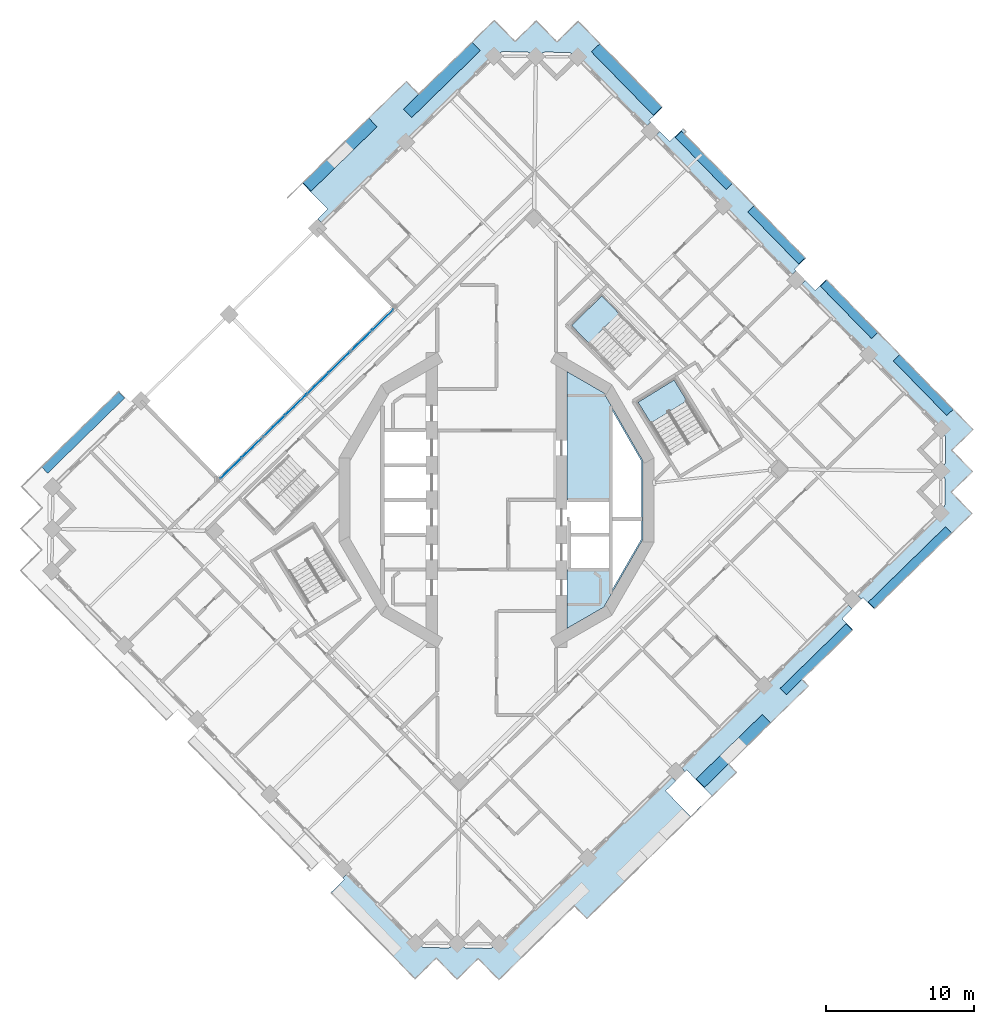
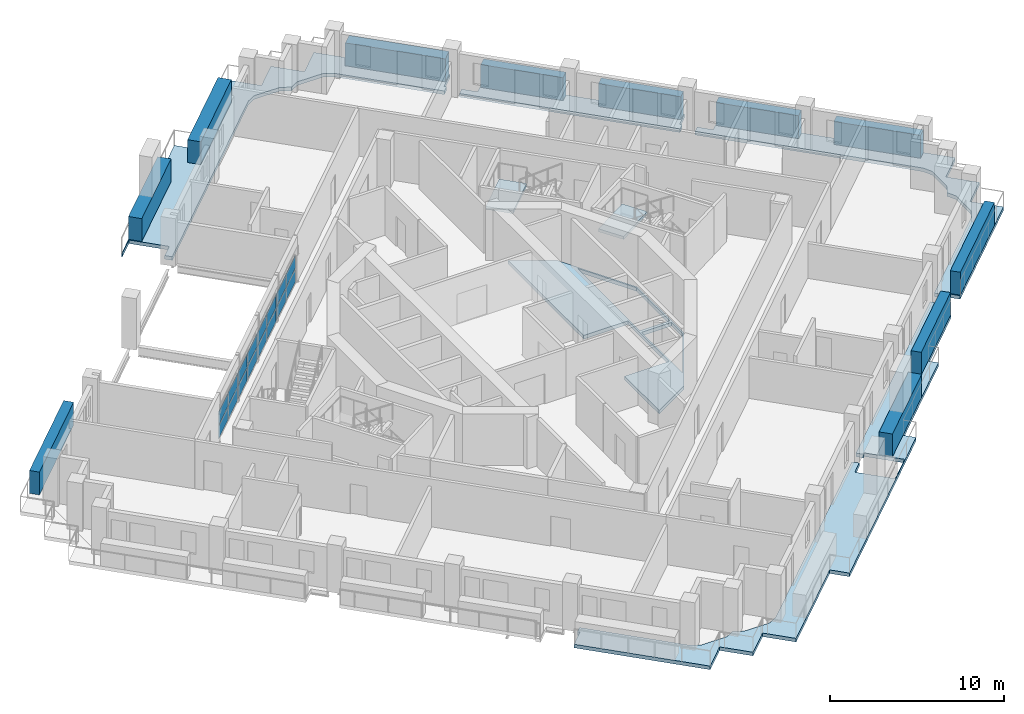
# One storey, part 6 of 21: 27 plates, 7 slabs, 3 elements without a shape of their own.
"""IFC4 building model written with IfcOpenShell, lengths in metres."""

from ifc_helpers import new_model, si_unit, direction, frame, origin, origin_2d, place, context, subcontext, project, spatial, polyline, rectangle, outline, extrude, material, layer, layer_set, type_object, element, aggregate, save


model = new_model("IFC4")

# Units and contexts
model_context = context("Model", 3, precision=1e-05, world=origin(), true_north=direction((0.0, 1.0)))
body_context = subcontext(model_context, "Body", "Model", "MODEL_VIEW")
ifc_project = project(units=[si_unit("LENGTHUNIT", "METRE"), si_unit("AREAUNIT", "SQUARE_METRE"), si_unit("VOLUMEUNIT", "CUBIC_METRE"), si_unit("PLANEANGLEUNIT", "RADIAN"), si_unit("MASSUNIT", "GRAM", prefix="KILO")], contexts=[model_context])

# Site, building, storey
site_placement = place(None, origin())
site = spatial("IfcSite", under=ifc_project, at=site_placement, CompositionType="ELEMENT")
building_placement = place(site_placement, origin())
building = spatial("IfcBuilding", under=site, at=building_placement, Name="Cantera Rosa Tower", CompositionType="ELEMENT")
storey_placement = place(building_placement, frame((0.0, 0.0, 234.199951171875)))
storey = spatial("IfcBuildingStorey", under=building, at=storey_placement, Name="L51", CompositionType="ELEMENT", Elevation=234.199951171875)

# Slab
ifc_material_1 = material(Name="Concrete C35/45", Category="concrete")
ifc_layer_1 = layer(ifc_material_1, 0.25)
ifc_layer_set_1 = layer_set([ifc_layer_1], Name="COMPOSITE FLOOR SLAB 250 C35/45")
slab_type_1 = type_object("IfcSlabType", Name="COMPOSITE FLOOR SLAB 250 C35/45", PredefinedType="FLOOR", material=ifc_layer_set_1)
slab_1_placement = place(storey_placement, frame((0.0, 0.0, -0.25)))
element("IfcSlab", 1, at=slab_1_placement, inside=storey, type_object=slab_type_1, Name="SLAB L51 floor 3", PredefinedType="FLOOR", context=body_context, shape_type="SweptSolid", body=[
    extrude(outline(polyline([(7.699951171875, 0.0), (4.75, 0.0), (4.75, 8.660400390625), (7.22900390625, 7.22900390625), (9.875244140625, 2.64599609375), (9.875244140625, -2.64599609375), (7.22900390625, -7.22900390625), (4.75, -8.660400390625), (4.75, -4.699951171875), (7.699951171875, -4.699951171875), (7.699951171875, -2.35009765625), (7.699951171875, 0.0)]), holes=[polyline([(9.775146484375, -1.3828125), (7.800048828125, -1.3828125), (7.800048828125, -2.25), (7.800048828125, -2.449951171875), (7.800048828125, -6.040283203125), (9.775146484375, -2.619384765625), (9.775146484375, -1.3828125)]), polyline([(9.775146484375, 2.619384765625), (7.800048828125, 6.040283203125), (7.800048828125, 2.449951171875), (7.800048828125, 2.25), (7.800048828125, -1.1826171875), (9.775146484375, -1.1826171875), (9.775146484375, 2.619384765625)])]), origin(), (0.0, 0.0, 1.0), 0.25),
])

# Curtain wall, plates
ifc_material_2 = material(Name="Aluminium frame with clear glass", Category="aluminium")
curtain_wall_type = type_object("IfcCurtainWallType", Name="CW1 TERRACE POCKET GLAZING", PredefinedType="NOTDEFINED", material=ifc_material_2)
curtain_wall_placement = place(storey_placement, origin())
curtain_wall = element("IfcCurtainWall", 2, at=curtain_wall_placement, inside=storey, type_object=curtain_wall_type, Name="CW1 CW1", PredefinedType="NOTDEFINED")
ifc_material_3 = material(Name="Aluminium frame with clear glass", Category="aluminium")
ifc_layer_2 = layer(ifc_material_3, 0.028076171875)
ifc_layer_set_2 = layer_set([ifc_layer_2], Name="CW-PANEL POCKET")
plate_type_1 = type_object("IfcPlateType", Name="CW-PANEL POCKET", PredefinedType="CURTAIN_PANEL", material=ifc_layer_set_2)
plate_1_placement = place(storey_placement, frame((-7.67578125, 12.143310546875, 0.06005859375), z_axis=(0.0, 0.0, 1.0), x_axis=(-0.715286291034, -0.698831540401, 0.0)))
plate_1 = element("IfcPlate", 3, at=plate_1_placement, type_object=plate_type_1, Name="CW1 panel 1.1", PredefinedType="CURTAIN_PANEL", context=body_context, shape_type="SweptSolid", body=[
    extrude(rectangle(XDim=1.958740234375, YDim=0.028076171875, at=origin_2d()), origin(), (0.0, 0.0, 1.0), 0.904052734375),
])
plate_2_placement = place(storey_placement, frame((-7.67578125, 12.143310546875, 1.02392578125), z_axis=(0.0, 0.0, 1.0), x_axis=(-0.715286291034, -0.698831540401, 0.0)))
plate_2 = element("IfcPlate", 4, at=plate_2_placement, type_object=plate_type_1, Name="CW1 panel 1.2", PredefinedType="CURTAIN_PANEL", context=body_context, shape_type="SweptSolid", body=[
    extrude(rectangle(XDim=1.958740234375, YDim=0.028076171875, at=origin_2d()), origin(), (0.0, 0.0, 1.0), 0.904052734375),
])
plate_3_placement = place(storey_placement, frame((-9.130615234375, 10.721923828125, 0.06005859375), z_axis=(0.0, 0.0, 1.0), x_axis=(-0.715286291034, -0.698831540401, 0.0)))
plate_3 = element("IfcPlate", 5, at=plate_3_placement, type_object=plate_type_1, Name="CW1 panel 2.1", PredefinedType="CURTAIN_PANEL", context=body_context, shape_type="SweptSolid", body=[
    extrude(rectangle(XDim=1.98876953125, YDim=0.028076171875, at=origin_2d()), origin(), (0.0, 0.0, 1.0), 0.904052734375),
])
plate_4_placement = place(storey_placement, frame((-9.130615234375, 10.721923828125, 1.02392578125), z_axis=(0.0, 0.0, 1.0), x_axis=(-0.715286291034, -0.698831540401, 0.0)))
plate_4 = element("IfcPlate", 6, at=plate_4_placement, type_object=plate_type_1, Name="CW1 panel 2.2", PredefinedType="CURTAIN_PANEL", context=body_context, shape_type="SweptSolid", body=[
    extrude(rectangle(XDim=1.98876953125, YDim=0.028076171875, at=origin_2d()), origin(), (0.0, 0.0, 1.0), 0.904052734375),
])
plate_5_placement = place(storey_placement, frame((-10.595947265625, 9.290283203125, 0.06005859375), z_axis=(0.0, 0.0, 1.0), x_axis=(-0.715286291034, -0.698831540401, 0.0)))
plate_5 = element("IfcPlate", 7, at=plate_5_placement, type_object=plate_type_1, Name="CW1 panel 3.1", PredefinedType="CURTAIN_PANEL", context=body_context, shape_type="SweptSolid", body=[
    extrude(rectangle(XDim=1.98876953125, YDim=0.028076171875, at=origin_2d()), origin(), (0.0, 0.0, 1.0), 0.904052734375),
])
plate_6_placement = place(storey_placement, frame((-10.595947265625, 9.290283203125, 1.02392578125), z_axis=(0.0, 0.0, 1.0), x_axis=(-0.715286291034, -0.698831540401, 0.0)))
plate_6 = element("IfcPlate", 8, at=plate_6_placement, type_object=plate_type_1, Name="CW1 panel 3.2", PredefinedType="CURTAIN_PANEL", context=body_context, shape_type="SweptSolid", body=[
    extrude(rectangle(XDim=1.98876953125, YDim=0.028076171875, at=origin_2d()), origin(), (0.0, 0.0, 1.0), 0.904052734375),
])
plate_7_placement = place(storey_placement, frame((-12.0615234375, 7.8583984375, 0.06005859375), z_axis=(0.0, 0.0, 1.0), x_axis=(-0.715286291034, -0.698831540401, 0.0)))
plate_7 = element("IfcPlate", 9, at=plate_7_placement, type_object=plate_type_1, Name="CW1 panel 4.1", PredefinedType="CURTAIN_PANEL", context=body_context, shape_type="SweptSolid", body=[
    extrude(rectangle(XDim=1.98876953125, YDim=0.028076171875, at=origin_2d()), origin(), (0.0, 0.0, 1.0), 0.904052734375),
])
plate_8_placement = place(storey_placement, frame((-12.0615234375, 7.8583984375, 1.02392578125), z_axis=(0.0, 0.0, 1.0), x_axis=(-0.715286291034, -0.698831540401, 0.0)))
plate_8 = element("IfcPlate", 10, at=plate_8_placement, type_object=plate_type_1, Name="CW1 panel 4.2", PredefinedType="CURTAIN_PANEL", context=body_context, shape_type="SweptSolid", body=[
    extrude(rectangle(XDim=1.98876953125, YDim=0.028076171875, at=origin_2d()), origin(), (0.0, 0.0, 1.0), 0.904052734375),
])
plate_9_placement = place(storey_placement, frame((-13.52685546875, 6.4267578125, 0.06005859375), z_axis=(0.0, 0.0, 1.0), x_axis=(-0.715286291034, -0.698831540401, 0.0)))
plate_9 = element("IfcPlate", 11, at=plate_9_placement, type_object=plate_type_1, Name="CW1 panel 5.1", PredefinedType="CURTAIN_PANEL", context=body_context, shape_type="SweptSolid", body=[
    extrude(rectangle(XDim=1.98876953125, YDim=0.028076171875, at=origin_2d()), origin(), (0.0, 0.0, 1.0), 0.904052734375),
])
plate_10_placement = place(storey_placement, frame((-13.52685546875, 6.4267578125, 1.02392578125), z_axis=(0.0, 0.0, 1.0), x_axis=(-0.715286291034, -0.698831540401, 0.0)))
plate_10 = element("IfcPlate", 12, at=plate_10_placement, type_object=plate_type_1, Name="CW1 panel 5.2", PredefinedType="CURTAIN_PANEL", context=body_context, shape_type="SweptSolid", body=[
    extrude(rectangle(XDim=1.98876953125, YDim=0.028076171875, at=origin_2d()), origin(), (0.0, 0.0, 1.0), 0.904052734375),
])
plate_11_placement = place(storey_placement, frame((-14.992431640625, 4.9951171875, 0.06005859375), z_axis=(0.0, 0.0, 1.0), x_axis=(-0.715286291034, -0.698831540401, 0.0)))
plate_11 = element("IfcPlate", 13, at=plate_11_placement, type_object=plate_type_1, Name="CW1 panel 6.1", PredefinedType="CURTAIN_PANEL", context=body_context, shape_type="SweptSolid", body=[
    extrude(rectangle(XDim=1.98876953125, YDim=0.028076171875, at=origin_2d()), origin(), (0.0, 0.0, 1.0), 0.904052734375),
])
plate_12_placement = place(storey_placement, frame((-14.992431640625, 4.9951171875, 1.02392578125), z_axis=(0.0, 0.0, 1.0), x_axis=(-0.715286291034, -0.698831540401, 0.0)))
plate_12 = element("IfcPlate", 14, at=plate_12_placement, type_object=plate_type_1, Name="CW1 panel 6.2", PredefinedType="CURTAIN_PANEL", context=body_context, shape_type="SweptSolid", body=[
    extrude(rectangle(XDim=1.98876953125, YDim=0.028076171875, at=origin_2d()), origin(), (0.0, 0.0, 1.0), 0.904052734375),
])
plate_13_placement = place(storey_placement, frame((-16.457763671875, 3.563232421875, 0.06005859375), z_axis=(0.0, 0.0, 1.0), x_axis=(-0.715286291034, -0.698831540401, 0.0)))
plate_13 = element("IfcPlate", 15, at=plate_13_placement, type_object=plate_type_1, Name="CW1 panel 7.1", PredefinedType="CURTAIN_PANEL", context=body_context, shape_type="SweptSolid", body=[
    extrude(rectangle(XDim=1.98876953125, YDim=0.028076171875, at=origin_2d()), origin(), (0.0, 0.0, 1.0), 0.904052734375),
])
plate_14_placement = place(storey_placement, frame((-16.457763671875, 3.563232421875, 1.02392578125), z_axis=(0.0, 0.0, 1.0), x_axis=(-0.715286291034, -0.698831540401, 0.0)))
plate_14 = element("IfcPlate", 16, at=plate_14_placement, type_object=plate_type_1, Name="CW1 panel 7.2", PredefinedType="CURTAIN_PANEL", context=body_context, shape_type="SweptSolid", body=[
    extrude(rectangle(XDim=1.98876953125, YDim=0.028076171875, at=origin_2d()), origin(), (0.0, 0.0, 1.0), 0.904052734375),
])
plate_15_placement = place(storey_placement, frame((-17.91259765625, 2.14208984375, 0.06005859375), z_axis=(0.0, 0.0, 1.0), x_axis=(-0.715286291034, -0.698831540401, 0.0)))
plate_15 = element("IfcPlate", 17, at=plate_15_placement, type_object=plate_type_1, Name="CW1 panel 8.1", PredefinedType="CURTAIN_PANEL", context=body_context, shape_type="SweptSolid", body=[
    extrude(rectangle(XDim=1.958740234375, YDim=0.028076171875, at=origin_2d()), origin(), (0.0, 0.0, 1.0), 0.904052734375),
])
plate_16_placement = place(storey_placement, frame((-17.91259765625, 2.14208984375, 1.02392578125), z_axis=(0.0, 0.0, 1.0), x_axis=(-0.715286291034, -0.698831540401, 0.0)))
plate_16 = element("IfcPlate", 18, at=plate_16_placement, type_object=plate_type_1, Name="CW1 panel 8.2", PredefinedType="CURTAIN_PANEL", context=body_context, shape_type="SweptSolid", body=[
    extrude(rectangle(XDim=1.958740234375, YDim=0.028076171875, at=origin_2d()), origin(), (0.0, 0.0, 1.0), 0.904052734375),
])
aggregate(curtain_wall, [plate_1, plate_2, plate_3, plate_4, plate_5, plate_6, plate_7, plate_8, plate_9, plate_10, plate_11, plate_12, plate_13, plate_14, plate_15, plate_16])

# Slabs
ifc_material_4 = material(Name="Concrete C35/45", Category="concrete")
ifc_layer_3 = layer(ifc_material_4, 0.25)
ifc_layer_set_3 = layer_set([ifc_layer_3], Name="LOGGIA SLAB 250 C35/45")
slab_type_2 = type_object("IfcSlabType", Name="LOGGIA SLAB 250 C35/45", PredefinedType="FLOOR", material=ifc_layer_set_3)
slab_2_placement = place(storey_placement, frame((0.0, 0.0, -0.25)))
element("IfcSlab", 19, at=slab_2_placement, inside=storey, type_object=slab_type_2, Name="LOGGIA SLAB L51 3", PredefinedType="FLOOR", context=body_context, shape_type="SweptSolid", body=[
    extrude(outline(polyline([(-5.25, 27.375), (-1.369873046875, 31.166015625), (-0.15380859375, 32.35400390625), (1.0341796875, 31.13818359375), (1.243896484375, 30.923583984375), (1.45849609375, 31.13330078125), (2.67431640625, 32.3212890625), (3.8623046875, 31.105224609375), (4.072021484375, 30.890625), (4.28662109375, 31.100341796875), (5.502685546875, 32.288330078125), (6.690673828125, 31.072265625), (11.177001953125, 26.480224609375), (10.282958984375, 25.606689453125), (10.3876953125, 25.499267578125), (10.06591796875, 25.184814453125), (5.474609375, 29.88427734375), (4.982666015625, 30.154541015625), (4.956298828125, 30.16748046875), (4.9287109375, 30.177734375), (4.900146484375, 30.185302734375), (4.87109375, 30.18994140625), (4.841796875, 30.191650390625), (3.2861328125, 30.209716796875), (3.2568359375, 30.208740234375), (3.2275390625, 30.20458984375), (3.198974609375, 30.197998046875), (3.171142578125, 30.188232421875), (3.144287109375, 30.176025390625), (2.646484375, 29.917236328125), (2.154541015625, 30.1875), (2.1279296875, 30.200439453125), (2.100341796875, 30.210693359375), (2.072021484375, 30.218017578125), (2.04296875, 30.222900390625), (2.013427734375, 30.224609375), (0.4580078125, 30.24267578125), (0.4287109375, 30.24169921875), (0.3994140625, 30.237548828125), (0.37060546875, 30.230712890625), (0.343017578125, 30.22119140625), (0.316162109375, 30.208984375), (-0.181884765625, 29.9501953125), (-0.883056640625, 29.26513671875), (-11.76220703125, 18.635986328125), (-12.076904296875, 18.9580078125), (-11.397216796875, 19.621826171875), (-13.074462890625, 21.33837890625), (-14.075927734375, 20.360107421875), (-14.107421875, 20.392578125), (-6.08544921875, 28.22998046875), (-5.25, 27.375)])), origin(), (0.0, 0.0, 1.0), 0.25),
])
slab_3_placement = place(storey_placement, frame((0.0, 0.0, -0.25)))
element("IfcSlab", 20, at=slab_3_placement, inside=storey, type_object=slab_type_2, Name="LOGGIA SLAB L51 4", PredefinedType="FLOOR", context=body_context, shape_type="SweptSolid", body=[
    extrude(outline(polyline([(1.369873046875, -31.166015625), (0.15380859375, -32.35400390625), (-1.0341796875, -31.13818359375), (-1.243896484375, -30.923583984375), (-1.45849609375, -31.13330078125), (-2.67431640625, -32.3212890625), (-3.8623046875, -31.105224609375), (-4.072021484375, -30.890625), (-4.28662109375, -31.100341796875), (-5.502685546875, -32.288330078125), (-6.690673828125, -31.072265625), (-11.177001953125, -26.480224609375), (-10.282958984375, -25.606689453125), (-10.3876953125, -25.499267578125), (-10.06591796875, -25.184814453125), (-5.474609375, -29.88427734375), (-4.982666015625, -30.154541015625), (-4.956298828125, -30.16748046875), (-4.9287109375, -30.177734375), (-4.900146484375, -30.185302734375), (-4.87109375, -30.18994140625), (-4.841796875, -30.191650390625), (-3.2861328125, -30.209716796875), (-3.2568359375, -30.208740234375), (-3.2275390625, -30.20458984375), (-3.198974609375, -30.197998046875), (-3.171142578125, -30.188232421875), (-3.144287109375, -30.176025390625), (-2.646484375, -29.917236328125), (-2.154541015625, -30.1875), (-2.1279296875, -30.200439453125), (-2.100341796875, -30.210693359375), (-2.072021484375, -30.218017578125), (-2.04296875, -30.222900390625), (-2.013427734375, -30.224609375), (-0.4580078125, -30.24267578125), (-0.4287109375, -30.24169921875), (-0.3994140625, -30.237548828125), (-0.37060546875, -30.230712890625), (-0.343017578125, -30.22119140625), (-0.316162109375, -30.208984375), (0.181884765625, -29.9501953125), (0.883056640625, -29.26513671875), (11.76220703125, -18.635986328125), (12.076904296875, -18.9580078125), (11.397216796875, -19.621826171875), (13.074462890625, -21.33837890625), (14.505126953125, -19.94091796875), (12.827880859375, -18.22412109375), (12.720703125, -18.3291015625), (12.406005859375, -18.007080078125), (23.664794921875, -7.007568359375), (23.979248046875, -7.329345703125), (23.2998046875, -7.9931640625), (24.035888671875, -8.746826171875), (20.601806640625, -12.101806640625), (21.031982421875, -12.5419921875), (15.635986328125, -17.81396484375), (16.178466796875, -18.369140625), (6.08544921875, -28.22998046875), (5.25, -27.375), (1.369873046875, -31.166015625)])), origin(), (0.0, 0.0, 1.0), 0.25),
])
slab_4_placement = place(storey_placement, frame((0.0, 0.0, -0.25)))
element("IfcSlab", 21, at=slab_4_placement, inside=storey, type_object=slab_type_2, Name="LOGGIA SLAB L51 5", PredefinedType="FLOOR", context=body_context, shape_type="SweptSolid", body=[
    extrude(outline(polyline([(17.42724609375, 19.81689453125), (17.417236328125, 19.806884765625), (20.216796875, 16.94140625), (20.845703125, 16.2978515625), (20.094482421875, 15.56396484375), (20.199462890625, 15.456787109375), (19.87744140625, 15.14208984375), (10.69482421875, 24.541015625), (11.016845703125, 24.855712890625), (11.6806640625, 24.176025390625), (12.57470703125, 25.049560546875), (12.784423828125, 24.8349609375), (12.6513671875, 24.705078125), (17.42724609375, 19.81689453125)])), origin(), (0.0, 0.0, 1.0), 0.25),
])
slab_5_placement = place(storey_placement, frame((0.0, 0.0, -0.25)))
element("IfcSlab", 22, at=slab_5_placement, inside=storey, type_object=slab_type_2, Name="LOGGIA SLAB L51 6", PredefinedType="FLOOR", context=body_context, shape_type="SweptSolid", body=[
    extrude(outline(polyline([(27.218994140625, 9.7744140625), (31.076416015625, 5.825927734375), (32.124755859375, 4.753173828125), (31.0517578125, 3.704833984375), (30.694091796875, 3.35546875), (31.043701171875, 2.997802734375), (32.091796875, 1.9248046875), (31.018798828125, 0.876708984375), (30.661376953125, 0.527099609375), (31.0107421875, 0.16943359375), (32.05908203125, -0.9033203125), (30.986083984375, -1.95166015625), (26.110107421875, -6.71533203125), (26.11279296875, -6.7177734375), (25.46630859375, -7.34912109375), (24.730224609375, -6.595703125), (24.622802734375, -6.700439453125), (24.30859375, -6.37841796875), (29.937744140625, -0.878662109375), (30.2080078125, -0.386962890625), (30.220947265625, -0.3603515625), (30.231201171875, -0.332763671875), (30.23876953125, -0.30419921875), (30.243408203125, -0.275146484375), (30.2451171875, -0.245849609375), (30.26318359375, 1.309814453125), (30.26220703125, 1.339111328125), (30.25830078125, 1.368408203125), (30.25146484375, 1.39697265625), (30.24169921875, 1.4248046875), (30.2294921875, 1.451416015625), (29.970703125, 1.949462890625), (30.240966796875, 2.44140625), (30.25390625, 2.4677734375), (30.26416015625, 2.495361328125), (30.271484375, 2.52392578125), (30.2763671875, 2.552978515625), (30.278076171875, 2.58251953125), (30.296142578125, 4.137939453125), (30.295166015625, 4.167236328125), (30.291015625, 4.196533203125), (30.2841796875, 4.22509765625), (30.274658203125, 4.2529296875), (30.262451171875, 4.27978515625), (30.003662109375, 4.777587890625), (20.506591796875, 14.49853515625), (20.828369140625, 14.81298828125), (21.4921875, 14.13330078125), (22.243408203125, 14.8671875), (22.313232421875, 14.795654296875), (25.12255859375, 11.920166015625), (27.218994140625, 9.7744140625)])), origin(), (0.0, 0.0, 1.0), 0.25),
])

# Plates
ifc_material_5 = material(Name="Cantera stone planter with soil", Category="masonry")
plate_type_2 = type_object("IfcPlateType", Name="PLANTER 600", PredefinedType="USERDEFINED", material=ifc_material_5)
plate_17_placement = place(storey_placement, frame((28.77587890625, 7.75146484375, 0.0), z_axis=(0.0, 0.0, 1.0), x_axis=(-0.698831540364, 0.71528629107, 0.0)))
element("IfcPlate", 23, at=plate_17_placement, inside=storey, type_object=plate_type_2, Name="PLANTER L51-01", ObjectType="PLANTER", PredefinedType="USERDEFINED", context=body_context, shape_type="SweptSolid", body=[
    extrude(rectangle(XDim=5.169921875, YDim=0.60009765625, at=origin_2d()), origin(), (0.0, 0.0, 1.0), 1.60009765625),
])
for number, where, z_axis, x_axis, name in (
    (24, (23.78271484375, 12.8623046875, 0.0), (0.0, 0.0, 1.0), (-0.698831540364, 0.71528629107, 0.0), "PLANTER L51-02"),
    (25, (18.876953125, 17.883544921875, 0.0), (0.0, 0.0, 1.0), (-0.698831540364, 0.71528629107, 0.0), "PLANTER L51-03"),
    (26, (13.981201171875, 22.91455078125, 0.0), (0.0, 0.0, 1.0), (-0.698831540364, 0.71528629107, 0.0), "PLANTER L51-04"),
):
    element("IfcPlate", number, at=place(storey_placement, frame(where, z_axis=z_axis, x_axis=x_axis)), inside=storey, type_object=plate_type_2, Name=name, ObjectType="PLANTER", PredefinedType="USERDEFINED", context=body_context, shape_type="SweptSolid", body=[
        extrude(rectangle(XDim=4.919921875, YDim=0.60009765625, at=origin_2d()), origin(), (0.0, 0.0, 1.0), 1.60009765625),
    ])
plate_18_placement = place(storey_placement, frame((-27.89013671875, 4.556884765625, 0.0), z_axis=(0.0, 0.0, 1.0), x_axis=(-0.71528629107, -0.698831540364, 0.0)))
element("IfcPlate", 27, at=plate_18_placement, inside=storey, type_object=plate_type_2, Name="PLANTER L51-10", ObjectType="PLANTER", PredefinedType="USERDEFINED", context=body_context, shape_type="SweptSolid", body=[
    extrude(rectangle(XDim=7.27001953125, YDim=0.60009765625, at=origin_2d()), origin(), (0.0, 0.0, 1.0), 1.60009765625),
])
plate_19_placement = place(storey_placement, frame((21.56591796875, -10.740478515625, 0.0), z_axis=(0.0, 0.0, 1.0), x_axis=(0.71528629107, 0.698831540364, 0.0)))
element("IfcPlate", 28, at=plate_19_placement, inside=storey, type_object=plate_type_2, Name="PLANTER L51-19", ObjectType="PLANTER", PredefinedType="USERDEFINED", context=body_context, shape_type="SweptSolid", body=[
    extrude(rectangle(XDim=6.219970703125, YDim=0.60009765625, at=origin_2d()), origin(), (0.0, 0.0, 1.0), 1.60009765625),
])
plate_20_placement = place(storey_placement, frame((27.89013671875, -4.556884765625, 0.0), z_axis=(0.0, 0.0, 1.0), x_axis=(0.71528629107, 0.698831540364, 0.0)))
element("IfcPlate", 29, at=plate_20_placement, inside=storey, type_object=plate_type_2, Name="PLANTER L51-20", ObjectType="PLANTER", PredefinedType="USERDEFINED", context=body_context, shape_type="SweptSolid", body=[
    extrude(rectangle(XDim=7.27001953125, YDim=0.60009765625, at=origin_2d()), origin(), (0.0, 0.0, 1.0), 1.60009765625),
])
ifc_material_6 = material(Name="Cantera stone planter with soil", Category="masonry")
plate_type_3 = type_object("IfcPlateType", Name="PLANTER 800", PredefinedType="USERDEFINED", material=ifc_material_6)
plate_21_placement = place(storey_placement, frame((8.77001953125, 28.37158203125, 0.0), z_axis=(0.0, 0.0, 1.0), x_axis=(-0.698831540364, 0.71528629107, 0.0)))
element("IfcPlate", 30, at=plate_21_placement, inside=storey, type_object=plate_type_3, Name="PLANTER L51-05", ObjectType="PLANTER", PredefinedType="USERDEFINED", context=body_context, shape_type="SweptSolid", body=[
    extrude(rectangle(XDim=5.969970703125, YDim=0.800048828125, at=origin_2d()), origin(), (0.0, 0.0, 1.0), 1.60009765625),
])
plate_22_placement = place(storey_placement, frame((-3.6904296875, 28.33984375, 0.0), z_axis=(0.0, 0.0, 1.0), x_axis=(-0.71528629107, -0.698831540364, 0.0)))
element("IfcPlate", 31, at=plate_22_placement, inside=storey, type_object=plate_type_3, Name="PLANTER L51-06", ObjectType="PLANTER", PredefinedType="USERDEFINED", context=body_context, shape_type="SweptSolid", body=[
    extrude(rectangle(XDim=6.469970703125, YDim=0.800048828125, at=origin_2d()), origin(), (0.0, 0.0, 1.0), 1.60009765625),
])
for number, where, z_axis, x_axis, name in (
    (32, (-10.56640625, 23.29296875, 0.0), (0.0, 0.0, 1.0), (-0.71528629107, -0.698831540364, 0.0), "PLANTER L51-07"),
    (33, (15.97509765625, -16.923583984375, 0.0), (0.0, 0.0, 1.0), (0.71528629107, 0.698831540364, 0.0), "PLANTER L51-18"),
):
    element("IfcPlate", number, at=place(storey_placement, frame(where, z_axis=z_axis, x_axis=x_axis)), inside=storey, type_object=plate_type_3, Name=name, ObjectType="PLANTER", PredefinedType="USERDEFINED", context=body_context, shape_type="SweptSolid", body=[
        extrude(rectangle(XDim=6.219970703125, YDim=0.800048828125, at=origin_2d()), origin(), (0.0, 0.0, 1.0), 1.60009765625),
    ])

# Stair, slab
ifc_material_7 = material(Name="Concrete C35/45", Category="concrete")
stair_type = type_object("IfcStairType", Name="EXIT STAIR 1350 DOGLEG", PredefinedType="HALF_TURN_STAIR", material=ifc_material_7)
stair_1_placement = place(storey_placement, origin())
stair_1 = element("IfcStair", 34, at=stair_1_placement, inside=storey, type_object=stair_type, Name="L51 ST-41", PredefinedType="HALF_TURN_STAIR")
ifc_material_8 = material(Name="Concrete C35/45", Category="concrete")
ifc_layer_4 = layer(ifc_material_8, 0.199951171875)
ifc_layer_set_4 = layer_set([ifc_layer_4], Name="STAIR LANDING 200")
slab_type_3 = type_object("IfcSlabType", Name="STAIR LANDING 200", PredefinedType="LANDING", material=ifc_layer_set_4)
slab_6_placement = place(storey_placement, frame((0.0, 0.0, 1.60009765625)))
slab_6 = element("IfcSlab", 35, at=slab_6_placement, type_object=slab_type_3, Name="ST-41 landing 1", PredefinedType="LANDING", context=body_context, shape_type="SweptSolid", body=[
    extrude(outline(polyline([(12.8310546875, 6.691162109375), (11.96923828125, 8.088623046875), (9.54345703125, 6.592529296875), (10.405517578125, 5.19482421875), (12.8310546875, 6.691162109375)])), origin(), (0.0, 0.0, 1.0), 0.199951171875),
])
aggregate(stair_1, [slab_6])

stair_2_placement = place(storey_placement, origin())
stair_2 = element("IfcStair", 36, at=stair_2_placement, inside=storey, type_object=stair_type, Name="L51 ST-42", PredefinedType="HALF_TURN_STAIR")
slab_7_placement = place(storey_placement, frame((0.0, 0.0, 1.60009765625)))
slab_7 = element("IfcSlab", 37, at=slab_7_placement, type_object=slab_type_3, Name="ST-42 landing 1", PredefinedType="LANDING", context=body_context, shape_type="SweptSolid", body=[
    extrude(outline(polyline([(8.244873046875, 12.58837890625), (7.097412109375, 13.762939453125), (5.058837890625, 11.771240234375), (6.206298828125, 10.5966796875), (8.244873046875, 12.58837890625)])), origin(), (0.0, 0.0, 1.0), 0.199951171875),
])
aggregate(stair_2, [slab_7])

save(model, "model.ifc")
